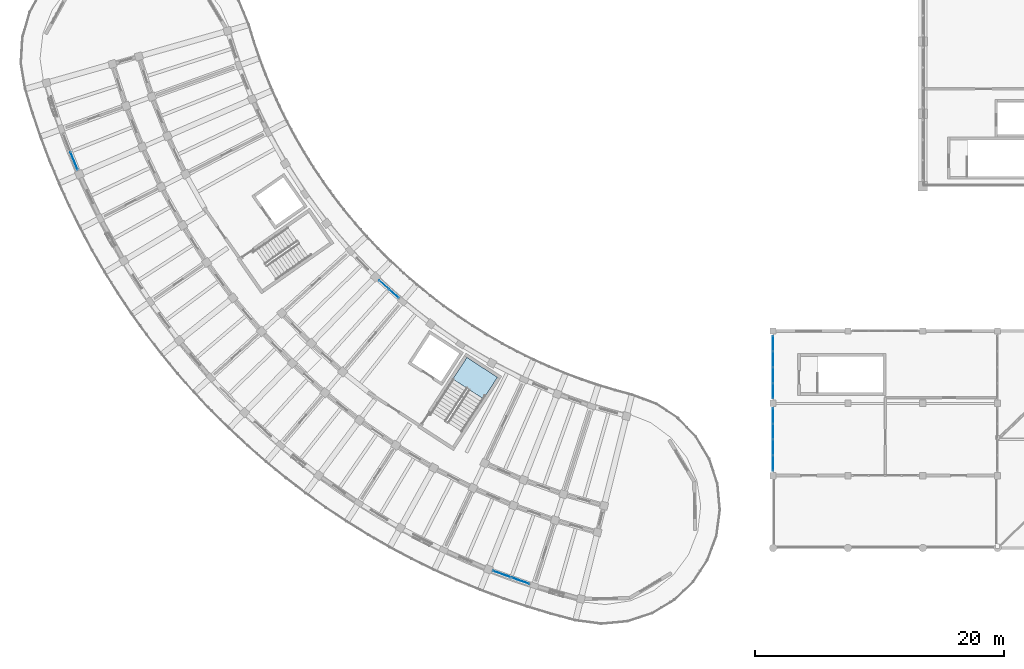
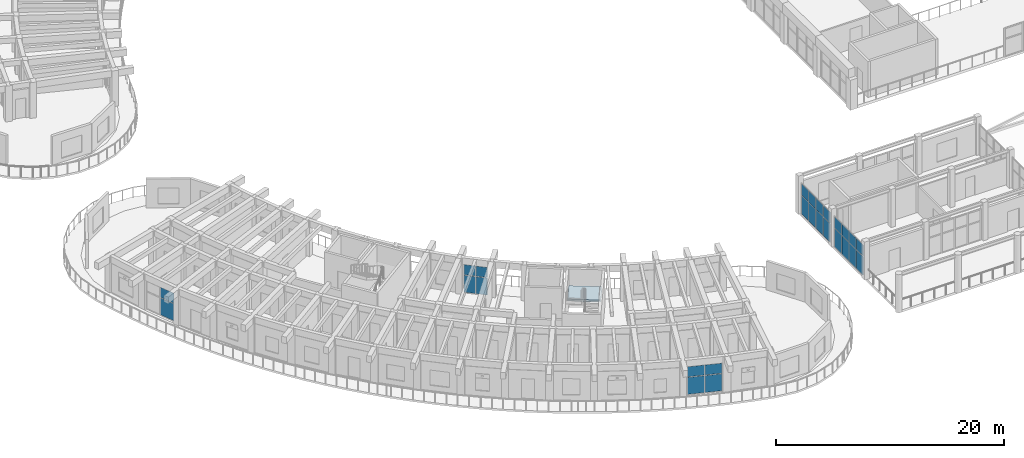
# One storey, part 67 of 128: 26 plates, 1 slab, 6 elements without a shape of their own.
"""IFC4 building model written with IfcOpenShell, lengths in metres."""

from ifc_helpers import new_model, si_unit, direction, frame, origin, origin_2d, place, context, subcontext, project, spatial, polyline, rectangle, outline, extrude, material, layer, layer_set, type_object, element, aggregate, save


model = new_model("IFC4")

# Units and contexts
model_context = context("Model", 3, precision=1e-05, world=origin(), true_north=direction((0.0, 1.0)))
body_context = subcontext(model_context, "Body", "Model", "MODEL_VIEW")
ifc_project = project(units=[si_unit("LENGTHUNIT", "METRE"), si_unit("AREAUNIT", "SQUARE_METRE"), si_unit("VOLUMEUNIT", "CUBIC_METRE"), si_unit("PLANEANGLEUNIT", "RADIAN"), si_unit("MASSUNIT", "GRAM", prefix="KILO")], contexts=[model_context])

# Site, building, storey
site_placement = place(None, origin())
site = spatial("IfcSite", under=ifc_project, at=site_placement, CompositionType="ELEMENT")
building_placement = place(site_placement, origin())
building = spatial("IfcBuilding", under=site, at=building_placement, Name="Tanwirah Colonnade Gardens", CompositionType="ELEMENT")
storey_placement = place(building_placement, frame((0.0, 0.0, 4.760009765625)))
storey = spatial("IfcBuildingStorey", under=building, at=storey_placement, Name="L01", CompositionType="ELEMENT", Elevation=4.760009765625)

# Curtain wall, plates
ifc_material_1 = material(Name="Bronze-anodised aluminium and solar-control low-E glass", Category="aluminium")
curtain_wall_type_1 = type_object("IfcCurtainWallType", Name="CW-LOB", PredefinedType="NOTDEFINED", material=ifc_material_1)
curtain_wall_1_placement = place(storey_placement, origin())
curtain_wall_1 = element("IfcCurtainWall", 1, at=curtain_wall_1_placement, inside=storey, type_object=curtain_wall_type_1, Name="Curtain Wall CW-C-L01-OUT-01", PredefinedType="NOTDEFINED")
ifc_material_2 = material(Name="Solar-control low-E double glazing", Category="glass")
ifc_layer_1 = layer(ifc_material_2, 0.028076171875)
ifc_layer_set_1 = layer_set([ifc_layer_1], Name="Solar-control low-E double glazing")
plate_type = type_object("IfcPlateType", Name="CWP-GLZ28", PredefinedType="CURTAIN_PANEL", material=ifc_layer_set_1)
plate_1_placement = place(storey_placement, frame((9.958251953125, 41.84130859375, 0.06005859375), z_axis=(0.0, 0.0, 1.0), x_axis=(0.368528781723, -0.929616338627, 0.0)))
plate_1 = element("IfcPlate", 2, at=plate_1_placement, type_object=plate_type, Name="CW-LOB panel 2.1", PredefinedType="CURTAIN_PANEL", context=body_context, shape_type="SweptSolid", body=[
    extrude(rectangle(XDim=1.49853515625, YDim=0.028076171875, at=origin_2d()), origin(), (0.0, 0.0, 1.0), 1.81640625),
])
plate_2_placement = place(storey_placement, frame((9.958251953125, 41.84130859375, 1.9365234375), z_axis=(0.0, 0.0, 1.0), x_axis=(0.368528781723, -0.929616338627, 0.0)))
plate_2 = element("IfcPlate", 3, at=plate_2_placement, type_object=plate_type, Name="CW-LOB panel 2.2", PredefinedType="CURTAIN_PANEL", context=body_context, shape_type="SweptSolid", body=[
    extrude(rectangle(XDim=1.49853515625, YDim=0.028076171875, at=origin_2d()), origin(), (0.0, 0.0, 1.0), 1.07861328125),
])
aggregate(curtain_wall_1, [plate_1, plate_2])

curtain_wall_type_2 = type_object("IfcCurtainWallType", Name="CW-GDN", PredefinedType="NOTDEFINED", material=ifc_material_1)
curtain_wall_2_placement = place(storey_placement, origin())
curtain_wall_2 = element("IfcCurtainWall", 4, at=curtain_wall_2_placement, inside=storey, type_object=curtain_wall_type_2, Name="Curtain Wall CW-C-L01-IN-08", PredefinedType="NOTDEFINED")
plate_3_placement = place(storey_placement, frame((34.806396484375, 31.90673828125, 0.06005859375), z_axis=(0.0, 0.0, 1.0), x_axis=(0.741682643058, -0.670750964954, 0.0)))
plate_3 = element("IfcPlate", 5, at=plate_3_placement, type_object=plate_type, Name="CW-GDN panel 1.1", PredefinedType="CURTAIN_PANEL", context=body_context, shape_type="SweptSolid", body=[
    extrude(rectangle(XDim=1.00439453125, YDim=0.028076171875, at=origin_2d()), origin(), (0.0, 0.0, 1.0), 1.81640625),
])
plate_4_placement = place(storey_placement, frame((34.806396484375, 31.90673828125, 1.9365234375), z_axis=(0.0, 0.0, 1.0), x_axis=(0.741682643058, -0.670750964954, 0.0)))
plate_4 = element("IfcPlate", 6, at=plate_4_placement, type_object=plate_type, Name="CW-GDN panel 1.2", PredefinedType="CURTAIN_PANEL", context=body_context, shape_type="SweptSolid", body=[
    extrude(rectangle(XDim=1.00439453125, YDim=0.028076171875, at=origin_2d()), origin(), (0.0, 0.0, 1.0), 1.07861328125),
])
plate_5_placement = place(storey_placement, frame((35.595703125, 31.19287109375, 0.06005859375), z_axis=(0.0, 0.0, 1.0), x_axis=(0.741682643058, -0.670750964954, 0.0)))
plate_5 = element("IfcPlate", 7, at=plate_5_placement, type_object=plate_type, Name="CW-GDN panel 2.1", PredefinedType="CURTAIN_PANEL", context=body_context, shape_type="SweptSolid", body=[
    extrude(rectangle(XDim=1.00439453125, YDim=0.028076171875, at=origin_2d()), origin(), (0.0, 0.0, 1.0), 1.81640625),
])
plate_6_placement = place(storey_placement, frame((35.595703125, 31.19287109375, 1.9365234375), z_axis=(0.0, 0.0, 1.0), x_axis=(0.741682643058, -0.670750964954, 0.0)))
plate_6 = element("IfcPlate", 8, at=plate_6_placement, type_object=plate_type, Name="CW-GDN panel 2.2", PredefinedType="CURTAIN_PANEL", context=body_context, shape_type="SweptSolid", body=[
    extrude(rectangle(XDim=1.00439453125, YDim=0.028076171875, at=origin_2d()), origin(), (0.0, 0.0, 1.0), 1.07861328125),
])
aggregate(curtain_wall_2, [plate_3, plate_4, plate_5, plate_6])

curtain_wall_3_placement = place(storey_placement, origin())
curtain_wall_3 = element("IfcCurtainWall", 9, at=curtain_wall_3_placement, inside=storey, type_object=curtain_wall_type_1, Name="Curtain Wall CW-C-L01-OUT-14", PredefinedType="NOTDEFINED")
plate_7_placement = place(storey_placement, frame((44.276123046875, 8.700927734375, 0.06005859375), z_axis=(0.0, 0.0, 1.0), x_axis=(0.941911145793, -0.335862164333, 0.0)))
plate_7 = element("IfcPlate", 10, at=plate_7_placement, type_object=plate_type, Name="CW-LOB panel 1.1", PredefinedType="CURTAIN_PANEL", context=body_context, shape_type="SweptSolid", body=[
    extrude(rectangle(XDim=1.49853515625, YDim=0.028076171875, at=origin_2d()), origin(), (0.0, 0.0, 1.0), 1.81640625),
])
plate_8_placement = place(storey_placement, frame((44.276123046875, 8.700927734375, 1.9365234375), z_axis=(0.0, 0.0, 1.0), x_axis=(0.941911145793, -0.335862164333, 0.0)))
plate_8 = element("IfcPlate", 11, at=plate_8_placement, type_object=plate_type, Name="CW-LOB panel 1.2", PredefinedType="CURTAIN_PANEL", context=body_context, shape_type="SweptSolid", body=[
    extrude(rectangle(XDim=1.49853515625, YDim=0.028076171875, at=origin_2d()), origin(), (0.0, 0.0, 1.0), 1.07861328125),
])
plate_9_placement = place(storey_placement, frame((45.744140625, 8.177490234375, 0.06005859375), z_axis=(0.0, 0.0, 1.0), x_axis=(0.941911145793, -0.335862164333, 0.0)))
plate_9 = element("IfcPlate", 12, at=plate_9_placement, type_object=plate_type, Name="CW-LOB panel 2.1", PredefinedType="CURTAIN_PANEL", context=body_context, shape_type="SweptSolid", body=[
    extrude(rectangle(XDim=1.49853515625, YDim=0.028076171875, at=origin_2d()), origin(), (0.0, 0.0, 1.0), 1.81640625),
])
plate_10_placement = place(storey_placement, frame((45.744140625, 8.177490234375, 1.9365234375), z_axis=(0.0, 0.0, 1.0), x_axis=(0.941911145793, -0.335862164333, 0.0)))
plate_10 = element("IfcPlate", 13, at=plate_10_placement, type_object=plate_type, Name="CW-LOB panel 2.2", PredefinedType="CURTAIN_PANEL", context=body_context, shape_type="SweptSolid", body=[
    extrude(rectangle(XDim=1.49853515625, YDim=0.028076171875, at=origin_2d()), origin(), (0.0, 0.0, 1.0), 1.07861328125),
])
aggregate(curtain_wall_3, [plate_7, plate_8, plate_9, plate_10])

curtain_wall_type_3 = type_object("IfcCurtainWallType", Name="CW-SHP", PredefinedType="NOTDEFINED", material=ifc_material_1)
curtain_wall_4_placement = place(storey_placement, origin())
curtain_wall_4 = element("IfcCurtainWall", 14, at=curtain_wall_4_placement, inside=storey, type_object=curtain_wall_type_3, Name="Curtain Wall CW-SHP-W-L01-W-1", PredefinedType="NOTDEFINED")
plate_11_placement = place(storey_placement, frame((66.0, 17.6025390625, 0.06005859375), z_axis=(0.0, 0.0, 1.0), x_axis=(0.0, 1.0, 0.0)))
plate_11 = element("IfcPlate", 15, at=plate_11_placement, type_object=plate_type, Name="CW-SHP panel 1.1", PredefinedType="CURTAIN_PANEL", context=body_context, shape_type="SweptSolid", body=[
    extrude(rectangle(XDim=1.18505859375, YDim=0.028076171875, at=origin_2d()), origin(), (0.0, 0.0, 1.0), 1.980712890625),
])
plate_12_placement = place(storey_placement, frame((66.0, 17.6025390625, 2.100830078125), z_axis=(0.0, 0.0, 1.0), x_axis=(0.0, 1.0, 0.0)))
plate_12 = element("IfcPlate", 16, at=plate_12_placement, type_object=plate_type, Name="CW-SHP panel 1.2", PredefinedType="CURTAIN_PANEL", context=body_context, shape_type="SweptSolid", body=[
    extrude(rectangle(XDim=1.18505859375, YDim=0.028076171875, at=origin_2d()), origin(), (0.0, 0.0, 1.0), 1.17919921875),
])
plate_13_placement = place(storey_placement, frame((66.0, 18.862548828125, 0.06005859375), z_axis=(0.0, 0.0, 1.0), x_axis=(0.0, 1.0, 0.0)))
plate_13 = element("IfcPlate", 17, at=plate_13_placement, type_object=plate_type, Name="CW-SHP panel 2.1", PredefinedType="CURTAIN_PANEL", context=body_context, shape_type="SweptSolid", body=[
    extrude(rectangle(XDim=1.215087890625, YDim=0.028076171875, at=origin_2d()), origin(), (0.0, 0.0, 1.0), 1.980712890625),
])
plate_14_placement = place(storey_placement, frame((66.0, 18.862548828125, 2.100830078125), z_axis=(0.0, 0.0, 1.0), x_axis=(0.0, 1.0, 0.0)))
plate_14 = element("IfcPlate", 18, at=plate_14_placement, type_object=plate_type, Name="CW-SHP panel 2.2", PredefinedType="CURTAIN_PANEL", context=body_context, shape_type="SweptSolid", body=[
    extrude(rectangle(XDim=1.215087890625, YDim=0.028076171875, at=origin_2d()), origin(), (0.0, 0.0, 1.0), 1.17919921875),
])
plate_15_placement = place(storey_placement, frame((66.0, 20.137451171875, 0.06005859375), z_axis=(0.0, 0.0, 1.0), x_axis=(0.0, 1.0, 0.0)))
plate_15 = element("IfcPlate", 19, at=plate_15_placement, type_object=plate_type, Name="CW-SHP panel 3.1", PredefinedType="CURTAIN_PANEL", context=body_context, shape_type="SweptSolid", body=[
    extrude(rectangle(XDim=1.215087890625, YDim=0.028076171875, at=origin_2d()), origin(), (0.0, 0.0, 1.0), 1.980712890625),
])
plate_16_placement = place(storey_placement, frame((66.0, 20.137451171875, 2.100830078125), z_axis=(0.0, 0.0, 1.0), x_axis=(0.0, 1.0, 0.0)))
plate_16 = element("IfcPlate", 20, at=plate_16_placement, type_object=plate_type, Name="CW-SHP panel 3.2", PredefinedType="CURTAIN_PANEL", context=body_context, shape_type="SweptSolid", body=[
    extrude(rectangle(XDim=1.215087890625, YDim=0.028076171875, at=origin_2d()), origin(), (0.0, 0.0, 1.0), 1.17919921875),
])
plate_17_placement = place(storey_placement, frame((66.0, 21.3974609375, 0.06005859375), z_axis=(0.0, 0.0, 1.0), x_axis=(0.0, 1.0, 0.0)))
plate_17 = element("IfcPlate", 21, at=plate_17_placement, type_object=plate_type, Name="CW-SHP panel 4.1", PredefinedType="CURTAIN_PANEL", context=body_context, shape_type="SweptSolid", body=[
    extrude(rectangle(XDim=1.18505859375, YDim=0.028076171875, at=origin_2d()), origin(), (0.0, 0.0, 1.0), 1.980712890625),
])
plate_18_placement = place(storey_placement, frame((66.0, 21.3974609375, 2.100830078125), z_axis=(0.0, 0.0, 1.0), x_axis=(0.0, 1.0, 0.0)))
plate_18 = element("IfcPlate", 22, at=plate_18_placement, type_object=plate_type, Name="CW-SHP panel 4.2", PredefinedType="CURTAIN_PANEL", context=body_context, shape_type="SweptSolid", body=[
    extrude(rectangle(XDim=1.18505859375, YDim=0.028076171875, at=origin_2d()), origin(), (0.0, 0.0, 1.0), 1.17919921875),
])
aggregate(curtain_wall_4, [plate_11, plate_12, plate_13, plate_14, plate_15, plate_16, plate_17, plate_18])

curtain_wall_5_placement = place(storey_placement, origin())
curtain_wall_5 = element("IfcCurtainWall", 23, at=curtain_wall_5_placement, inside=storey, type_object=curtain_wall_type_3, Name="Curtain Wall CW-SHP-W-L01-W-2", PredefinedType="NOTDEFINED")
plate_19_placement = place(storey_placement, frame((66.0, 23.402587890625, 0.06005859375), z_axis=(0.0, 0.0, 1.0), x_axis=(0.0, 1.0, 0.0)))
plate_19 = element("IfcPlate", 24, at=plate_19_placement, type_object=plate_type, Name="CW-SHP panel 1.1", PredefinedType="CURTAIN_PANEL", context=body_context, shape_type="SweptSolid", body=[
    extrude(rectangle(XDim=1.18505859375, YDim=0.028076171875, at=origin_2d()), origin(), (0.0, 0.0, 1.0), 1.980712890625),
])
plate_20_placement = place(storey_placement, frame((66.0, 23.402587890625, 2.100830078125), z_axis=(0.0, 0.0, 1.0), x_axis=(0.0, 1.0, 0.0)))
plate_20 = element("IfcPlate", 25, at=plate_20_placement, type_object=plate_type, Name="CW-SHP panel 1.2", PredefinedType="CURTAIN_PANEL", context=body_context, shape_type="SweptSolid", body=[
    extrude(rectangle(XDim=1.18505859375, YDim=0.028076171875, at=origin_2d()), origin(), (0.0, 0.0, 1.0), 1.17919921875),
])
plate_21_placement = place(storey_placement, frame((66.0, 24.66259765625, 0.06005859375), z_axis=(0.0, 0.0, 1.0), x_axis=(0.0, 1.0, 0.0)))
plate_21 = element("IfcPlate", 26, at=plate_21_placement, type_object=plate_type, Name="CW-SHP panel 2.1", PredefinedType="CURTAIN_PANEL", context=body_context, shape_type="SweptSolid", body=[
    extrude(rectangle(XDim=1.215087890625, YDim=0.028076171875, at=origin_2d()), origin(), (0.0, 0.0, 1.0), 1.980712890625),
])
plate_22_placement = place(storey_placement, frame((66.0, 24.66259765625, 2.100830078125), z_axis=(0.0, 0.0, 1.0), x_axis=(0.0, 1.0, 0.0)))
plate_22 = element("IfcPlate", 27, at=plate_22_placement, type_object=plate_type, Name="CW-SHP panel 2.2", PredefinedType="CURTAIN_PANEL", context=body_context, shape_type="SweptSolid", body=[
    extrude(rectangle(XDim=1.215087890625, YDim=0.028076171875, at=origin_2d()), origin(), (0.0, 0.0, 1.0), 1.17919921875),
])
plate_23_placement = place(storey_placement, frame((66.0, 25.9375, 0.06005859375), z_axis=(0.0, 0.0, 1.0), x_axis=(0.0, 1.0, 0.0)))
plate_23 = element("IfcPlate", 28, at=plate_23_placement, type_object=plate_type, Name="CW-SHP panel 3.1", PredefinedType="CURTAIN_PANEL", context=body_context, shape_type="SweptSolid", body=[
    extrude(rectangle(XDim=1.215087890625, YDim=0.028076171875, at=origin_2d()), origin(), (0.0, 0.0, 1.0), 1.980712890625),
])
plate_24_placement = place(storey_placement, frame((66.0, 25.9375, 2.100830078125), z_axis=(0.0, 0.0, 1.0), x_axis=(0.0, 1.0, 0.0)))
plate_24 = element("IfcPlate", 29, at=plate_24_placement, type_object=plate_type, Name="CW-SHP panel 3.2", PredefinedType="CURTAIN_PANEL", context=body_context, shape_type="SweptSolid", body=[
    extrude(rectangle(XDim=1.215087890625, YDim=0.028076171875, at=origin_2d()), origin(), (0.0, 0.0, 1.0), 1.17919921875),
])
plate_25_placement = place(storey_placement, frame((66.0, 27.197509765625, 0.06005859375), z_axis=(0.0, 0.0, 1.0), x_axis=(0.0, 1.0, 0.0)))
plate_25 = element("IfcPlate", 30, at=plate_25_placement, type_object=plate_type, Name="CW-SHP panel 4.1", PredefinedType="CURTAIN_PANEL", context=body_context, shape_type="SweptSolid", body=[
    extrude(rectangle(XDim=1.18505859375, YDim=0.028076171875, at=origin_2d()), origin(), (0.0, 0.0, 1.0), 1.980712890625),
])
plate_26_placement = place(storey_placement, frame((66.0, 27.197509765625, 2.100830078125), z_axis=(0.0, 0.0, 1.0), x_axis=(0.0, 1.0, 0.0)))
plate_26 = element("IfcPlate", 31, at=plate_26_placement, type_object=plate_type, Name="CW-SHP panel 4.2", PredefinedType="CURTAIN_PANEL", context=body_context, shape_type="SweptSolid", body=[
    extrude(rectangle(XDim=1.18505859375, YDim=0.028076171875, at=origin_2d()), origin(), (0.0, 0.0, 1.0), 1.17919921875),
])
aggregate(curtain_wall_5, [plate_19, plate_20, plate_21, plate_22, plate_23, plate_24, plate_25, plate_26])

# Stair, slab
ifc_material_3 = material(Name="Precast concrete C40/50", Category="concrete")
stair_type = type_object("IfcStairType", Name="ST-RES170", PredefinedType="HALF_TURN_STAIR", material=ifc_material_3)
stair_placement = place(storey_placement, origin())
stair = element("IfcStair", 32, at=stair_placement, inside=storey, type_object=stair_type, Name="L01 Block C Core 2 Exit Stair", PredefinedType="HALF_TURN_STAIR")
ifc_layer_2 = layer(ifc_material_3, 0.205078125)
ifc_layer_set_2 = layer_set([ifc_layer_2], Name="Precast concrete C40/50")
slab_type = type_object("IfcSlabType", Name="SL-LND-205", PredefinedType="LANDING", material=ifc_layer_set_2)
slab_placement = place(storey_placement, frame((0.0, 0.0, 1.8349609375)))
slab = element("IfcSlab", 33, at=slab_placement, type_object=slab_type, Name="ST-C2 landing 1", PredefinedType="LANDING", context=body_context, shape_type="SweptSolid", body=[
    extrude(outline(polyline([(42.77783203125, 22.7529296875), (43.902587890625, 24.48486328125), (41.45361328125, 26.0751953125), (40.328857421875, 24.34326171875), (42.77783203125, 22.7529296875)])), origin(), (0.0, 0.0, 1.0), 0.205078125),
])
aggregate(stair, [slab])

save(model, "model.ifc")
